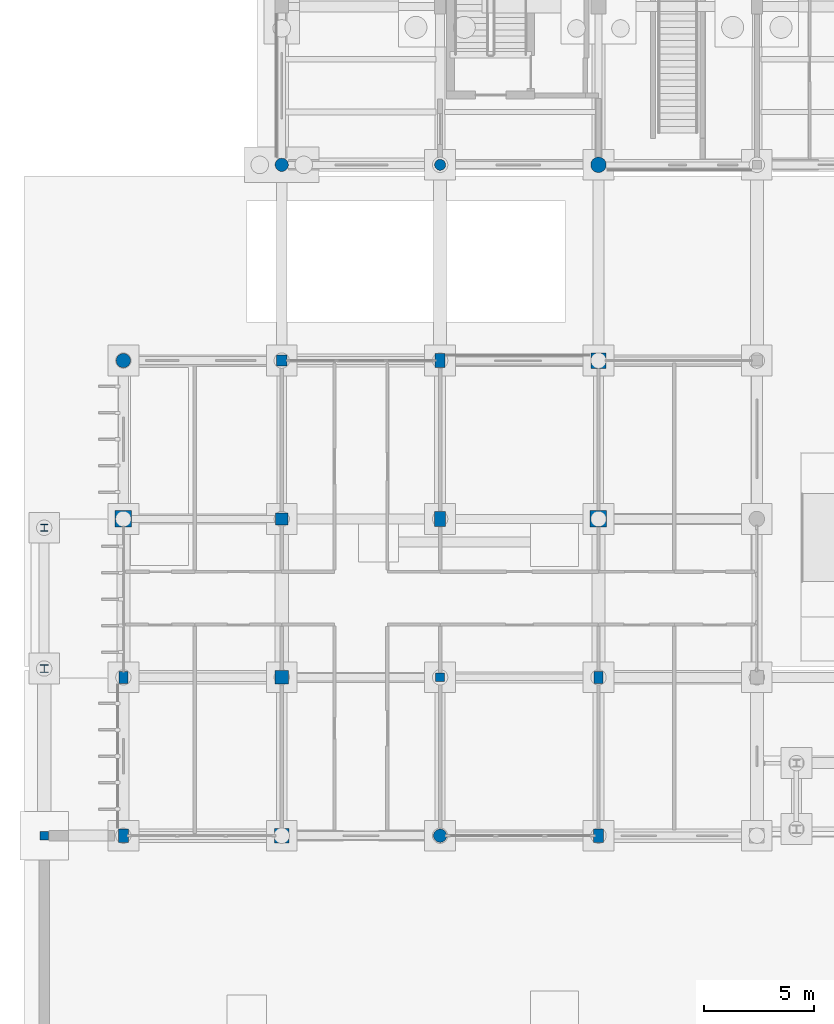
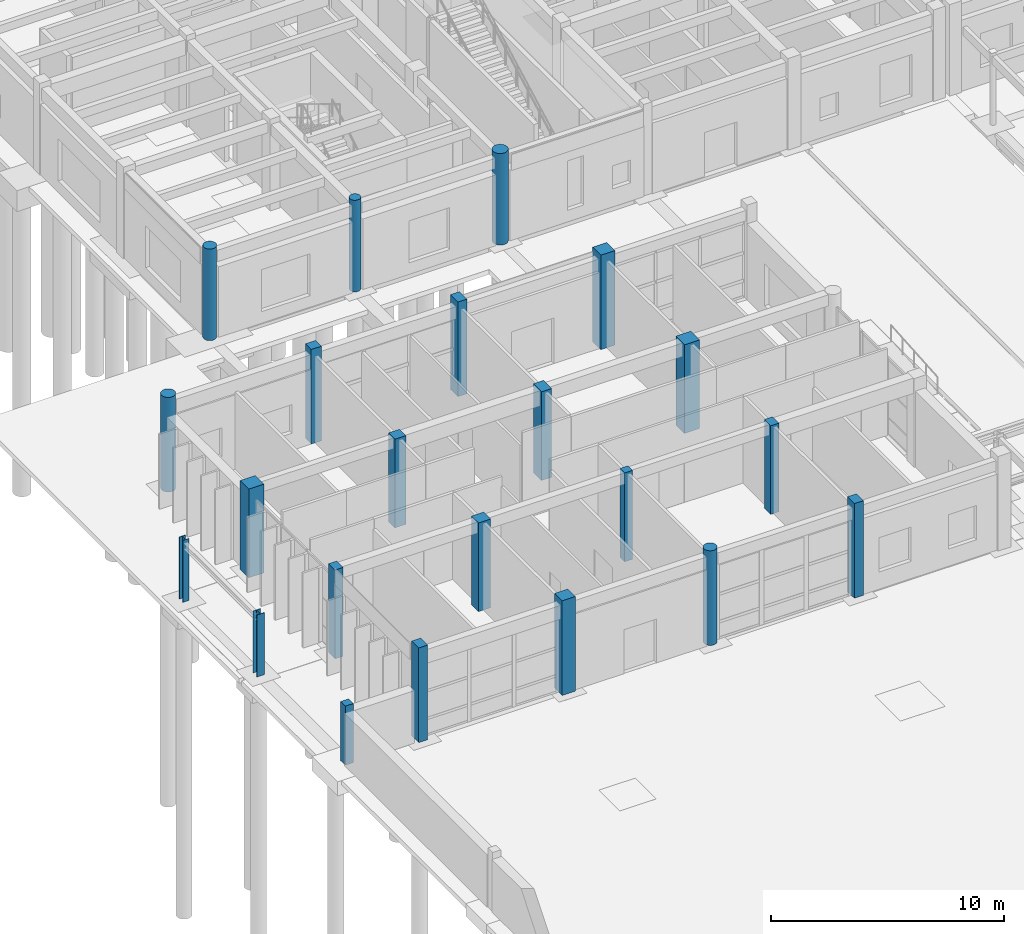
# One storey, part 16 of 143: 22 columns.
"""IFC4 building model written with IfcOpenShell, lengths in metres."""

from ifc_helpers import new_model, si_unit, direction, frame, origin, origin_2d, place, context, subcontext, project, spatial, rectangle, circle, i_section, extrude, material, material_profile, profile_set, type_object, element, save


model = new_model("IFC4")

# Units and contexts
model_context = context("Model", 3, precision=1e-05, world=origin(), true_north=direction((0.0, 1.0)))
body_context = subcontext(model_context, "Body", "Model", "MODEL_VIEW")
ifc_project = project(units=[si_unit("LENGTHUNIT", "METRE"), si_unit("AREAUNIT", "SQUARE_METRE"), si_unit("VOLUMEUNIT", "CUBIC_METRE"), si_unit("PLANEANGLEUNIT", "RADIAN"), si_unit("MASSUNIT", "GRAM", prefix="KILO")], contexts=[model_context])

# Site, building, storey
site_placement = place(None, origin())
site = spatial("IfcSite", under=ifc_project, at=site_placement, CompositionType="ELEMENT")
building_placement = place(site_placement, origin())
building = spatial("IfcBuilding", under=site, at=building_placement, Name="Steenspoor Specialist Clinic", CompositionType="ELEMENT")
storey_placement = place(building_placement, origin())
storey = spatial("IfcBuildingStorey", under=building, at=storey_placement, Name="L00", CompositionType="ELEMENT", Elevation=0.0)

# Columns
ifc_material_1 = material(Name="Concrete C40/50", Category="concrete")
ifc_material_profile_1 = material_profile(ifc_material_1, rectangle(XDim=0.39990234375, YDim=0.39990234375, at=origin_2d()), Name="RC-COL-400X400")
ifc_profile_set_1 = profile_set([ifc_material_profile_1], Name="Concrete C40/50")
column_type_1 = type_object("IfcColumnType", Name="COL-RC-400", PredefinedType="COLUMN", material=ifc_profile_set_1)
column_1_placement = place(storey_placement, frame((22.800048828125, 41.85009765625, 0.0), z_axis=(0.0, 0.0, 1.0), x_axis=(1.0, 0.0, 0.0)))
element("IfcColumn", 1, at=column_1_placement, inside=storey, type_object=column_type_1, Name="Column COL-L00-0169", PredefinedType="COLUMN", context=body_context, shape_type="SweptSolid", body=[
    extrude(rectangle(XDim=0.39990234375, YDim=0.39990234375, at=origin_2d()), origin(), (0.0, 0.0, 1.0), 4.64990234375),
])
column_2_placement = place(storey_placement, frame((4.800048828125, 34.64990234375, 0.0), z_axis=(0.0, 0.0, 1.0), x_axis=(1.0, 0.0, 0.0)))
element("IfcColumn", 2, at=column_2_placement, inside=storey, type_object=column_type_1, Name="Campus Screen Wall Pier 01", PredefinedType="COLUMN", context=body_context, shape_type="SweptSolid", body=[
    extrude(rectangle(XDim=0.39990234375, YDim=0.39990234375, at=origin_2d()), origin(), (0.0, 0.0, 1.0), 3.10009765625),
])
ifc_material_profile_2 = material_profile(ifc_material_1, rectangle(XDim=0.39990234375, YDim=0.550048828125, at=origin_2d()), Name="RC-COL-400X550")
ifc_profile_set_2 = profile_set([ifc_material_profile_2], Name="Concrete C40/50")
column_type_2 = type_object("IfcColumnType", Name="COL-RC-400X550", PredefinedType="COLUMN", material=ifc_profile_set_2)
for number, where, z_axis, x_axis, name in (
    (3, (8.39990234375, 41.85009765625, 0.0), (0.0, 0.0, 1.0), (1.0, 0.0, 0.0), "Column COL-L00-0161"),
    (4, (30.0, 41.85009765625, 0.0), (0.0, 0.0, 1.0), (1.0, 0.0, 0.0), "Column COL-L00-0173"),
):
    element("IfcColumn", number, at=place(storey_placement, frame(where, z_axis=z_axis, x_axis=x_axis)), inside=storey, type_object=column_type_2, Name=name, PredefinedType="COLUMN", context=body_context, shape_type="SweptSolid", body=[
        extrude(rectangle(XDim=0.39990234375, YDim=0.550048828125, at=origin_2d()), origin(), (0.0, 0.0, 1.0), 4.64990234375),
    ])
ifc_material_profile_3 = material_profile(ifc_material_1, rectangle(XDim=0.449951171875, YDim=0.60009765625, at=origin_2d()), Name="RC-COL-450X600")
ifc_profile_set_3 = profile_set([ifc_material_profile_3], Name="Concrete C40/50")
column_type_3 = type_object("IfcColumnType", Name="COL-RC-450X600", PredefinedType="COLUMN", material=ifc_profile_set_3)
for number, where, z_axis, x_axis, name in (
    (5, (8.39990234375, 34.64990234375, 0.0), (0.0, 0.0, 1.0), (1.0, 0.0, 0.0), "Column COL-L00-0160"),
    (6, (30.0, 34.64990234375, 0.0), (0.0, 0.0, 1.0), (1.0, 0.0, 0.0), "Column COL-L00-0172"),
):
    element("IfcColumn", number, at=place(storey_placement, frame(where, z_axis=z_axis, x_axis=x_axis)), inside=storey, type_object=column_type_3, Name=name, PredefinedType="COLUMN", context=body_context, shape_type="SweptSolid", body=[
        extrude(rectangle(XDim=0.449951171875, YDim=0.60009765625, at=origin_2d()), origin(), (0.0, 0.0, 1.0), 4.9599609375),
    ])
ifc_material_profile_4 = material_profile(ifc_material_1, rectangle(XDim=0.449951171875, YDim=0.64990234375, at=origin_2d()), Name="RC-COL-450X650")
ifc_profile_set_4 = profile_set([ifc_material_profile_4], Name="Concrete C40/50")
column_type_4 = type_object("IfcColumnType", Name="COL-RC-450X650", PredefinedType="COLUMN", material=ifc_profile_set_4)
column_3_placement = place(storey_placement, frame((22.800048828125, 56.25, 0.0), z_axis=(0.0, 0.0, 1.0), x_axis=(1.0, 0.0, 0.0)))
element("IfcColumn", 7, at=column_3_placement, inside=storey, type_object=column_type_4, Name="Column COL-L00-0171", PredefinedType="COLUMN", context=body_context, shape_type="SweptSolid", body=[
    extrude(rectangle(XDim=0.449951171875, YDim=0.64990234375, at=origin_2d()), origin(), (0.0, 0.0, 1.0), 4.9599609375),
])
ifc_material_profile_5 = material_profile(ifc_material_1, rectangle(XDim=0.5, YDim=0.5, at=origin_2d()), Name="RC-COL-500X500")
ifc_profile_set_5 = profile_set([ifc_material_profile_5], Name="Concrete C40/50")
column_type_5 = type_object("IfcColumnType", Name="COL-RC-500", PredefinedType="COLUMN", material=ifc_profile_set_5)
column_4_placement = place(storey_placement, frame((15.60009765625, 56.25, 0.0), z_axis=(0.0, 0.0, 1.0), x_axis=(1.0, 0.0, 0.0)))
element("IfcColumn", 8, at=column_4_placement, inside=storey, type_object=column_type_5, Name="Column COL-L00-0167", PredefinedType="COLUMN", context=body_context, shape_type="SweptSolid", body=[
    extrude(rectangle(XDim=0.5, YDim=0.5, at=origin_2d()), origin(), (0.0, 0.0, 1.0), 4.9599609375),
])
ifc_material_profile_6 = material_profile(ifc_material_1, rectangle(XDim=0.5, YDim=0.699951171875, at=origin_2d()), Name="RC-COL-500X700")
ifc_profile_set_6 = profile_set([ifc_material_profile_6], Name="Concrete C40/50")
column_type_6 = type_object("IfcColumnType", Name="COL-RC-500X700", PredefinedType="COLUMN", material=ifc_profile_set_6)
column_5_placement = place(storey_placement, frame((22.800048828125, 49.050048828125, 0.0), z_axis=(0.0, 0.0, 1.0), x_axis=(1.0, 0.0, 0.0)))
element("IfcColumn", 9, at=column_5_placement, inside=storey, type_object=column_type_6, Name="Column COL-L00-0170", PredefinedType="COLUMN", context=body_context, shape_type="SweptSolid", body=[
    extrude(rectangle(XDim=0.5, YDim=0.699951171875, at=origin_2d()), origin(), (0.0, 0.0, 1.0), 4.64990234375),
])
ifc_material_profile_7 = material_profile(ifc_material_1, rectangle(XDim=0.550048828125, YDim=0.550048828125, at=origin_2d()), Name="RC-COL-550X550")
ifc_profile_set_7 = profile_set([ifc_material_profile_7], Name="Concrete C40/50")
column_type_7 = type_object("IfcColumnType", Name="COL-RC-550", PredefinedType="COLUMN", material=ifc_profile_set_7)
column_6_placement = place(storey_placement, frame((15.60009765625, 49.050048828125, 0.0), z_axis=(0.0, 0.0, 1.0), x_axis=(1.0, 0.0, 0.0)))
element("IfcColumn", 10, at=column_6_placement, inside=storey, type_object=column_type_7, Name="Column COL-L00-0166", PredefinedType="COLUMN", context=body_context, shape_type="SweptSolid", body=[
    extrude(rectangle(XDim=0.550048828125, YDim=0.550048828125, at=origin_2d()), origin(), (0.0, 0.0, 1.0), 4.64990234375),
])
ifc_material_profile_8 = material_profile(ifc_material_1, rectangle(XDim=0.60009765625, YDim=0.60009765625, at=origin_2d()), Name="RC-COL-600X600")
ifc_profile_set_8 = profile_set([ifc_material_profile_8], Name="Concrete C40/50")
column_type_8 = type_object("IfcColumnType", Name="COL-RC-600", PredefinedType="COLUMN", material=ifc_profile_set_8)
column_7_placement = place(storey_placement, frame((15.60009765625, 41.85009765625, 0.0), z_axis=(0.0, 0.0, 1.0), x_axis=(1.0, 0.0, 0.0)))
element("IfcColumn", 11, at=column_7_placement, inside=storey, type_object=column_type_8, Name="Column COL-L00-0165", PredefinedType="COLUMN", context=body_context, shape_type="SweptSolid", body=[
    extrude(rectangle(XDim=0.60009765625, YDim=0.60009765625, at=origin_2d()), origin(), (0.0, 0.0, 1.0), 4.64990234375),
])
ifc_material_profile_9 = material_profile(ifc_material_1, rectangle(XDim=0.64990234375, YDim=0.64990234375, at=origin_2d()), Name="RC-COL-650X650")
ifc_profile_set_9 = profile_set([ifc_material_profile_9], Name="Concrete C40/50")
column_type_9 = type_object("IfcColumnType", Name="COL-RC-650", PredefinedType="COLUMN", material=ifc_profile_set_9)
column_8_placement = place(storey_placement, frame((15.60009765625, 34.64990234375, 0.0), z_axis=(0.0, 0.0, 1.0), x_axis=(1.0, 0.0, 0.0)))
element("IfcColumn", 12, at=column_8_placement, inside=storey, type_object=column_type_9, Name="Column COL-L00-0164", PredefinedType="COLUMN", context=body_context, shape_type="SweptSolid", body=[
    extrude(rectangle(XDim=0.64990234375, YDim=0.64990234375, at=origin_2d()), origin(), (0.0, 0.0, 1.0), 4.9599609375),
])
ifc_material_profile_10 = material_profile(ifc_material_1, rectangle(XDim=0.699951171875, YDim=0.699951171875, at=origin_2d()), Name="RC-COL-700X700")
ifc_profile_set_10 = profile_set([ifc_material_profile_10], Name="Concrete C40/50")
column_type_10 = type_object("IfcColumnType", Name="COL-RC-700", PredefinedType="COLUMN", material=ifc_profile_set_10)
column_9_placement = place(storey_placement, frame((30.0, 56.25, 0.0), z_axis=(0.0, 0.0, 1.0), x_axis=(1.0, 0.0, 0.0)))
element("IfcColumn", 13, at=column_9_placement, inside=storey, type_object=column_type_10, Name="Column COL-L00-0175", PredefinedType="COLUMN", context=body_context, shape_type="SweptSolid", body=[
    extrude(rectangle(XDim=0.699951171875, YDim=0.699951171875, at=origin_2d()), origin(), (0.0, 0.0, 1.0), 4.9599609375),
])
ifc_material_profile_11 = material_profile(ifc_material_1, rectangle(XDim=0.75, YDim=0.75, at=origin_2d()), Name="RC-COL-750X750")
ifc_profile_set_11 = profile_set([ifc_material_profile_11], Name="Concrete C40/50")
column_type_11 = type_object("IfcColumnType", Name="COL-RC-750", PredefinedType="COLUMN", material=ifc_profile_set_11)
for number, where, z_axis, x_axis, name in (
    (14, (8.39990234375, 49.050048828125, 0.0), (0.0, 0.0, 1.0), (1.0, 0.0, 0.0), "Column COL-L00-0162"),
    (15, (30.0, 49.050048828125, 0.0), (0.0, 0.0, 1.0), (1.0, 0.0, 0.0), "Column COL-L00-0174"),
):
    element("IfcColumn", number, at=place(storey_placement, frame(where, z_axis=z_axis, x_axis=x_axis)), inside=storey, type_object=column_type_11, Name=name, PredefinedType="COLUMN", context=body_context, shape_type="SweptSolid", body=[
        extrude(rectangle(XDim=0.75, YDim=0.75, at=origin_2d()), origin(), (0.0, 0.0, 1.0), 4.64990234375),
    ])
ifc_material_profile_12 = material_profile(ifc_material_1, circle(Radius=0.25, at=origin_2d()), Name="RC-COL-D500")
ifc_profile_set_12 = profile_set([ifc_material_profile_12], Name="Concrete C40/50")
column_type_12 = type_object("IfcColumnType", Name="COL-RC-D500", PredefinedType="COLUMN", material=ifc_profile_set_12)
column_10_placement = place(storey_placement, frame((22.800048828125, 65.14990234375, 0.0), z_axis=(0.0, 0.0, 1.0), x_axis=(1.0, 0.0, 0.0)))
element("IfcColumn", 16, at=column_10_placement, inside=storey, type_object=column_type_12, Name="Column COL-L00-0516", PredefinedType="COLUMN", context=body_context, shape_type="SweptSolid", body=[
    extrude(circle(Radius=0.25, at=origin_2d()), origin(), (0.0, 0.0, 1.0), 4.800048828125),
])
ifc_material_profile_13 = material_profile(ifc_material_1, circle(Radius=0.300048828125, at=origin_2d()), Name="RC-COL-D600")
ifc_profile_set_13 = profile_set([ifc_material_profile_13], Name="Concrete C40/50")
column_type_13 = type_object("IfcColumnType", Name="COL-RC-D600", PredefinedType="COLUMN", material=ifc_profile_set_13)
column_11_placement = place(storey_placement, frame((22.800048828125, 34.64990234375, 0.0), z_axis=(0.0, 0.0, 1.0), x_axis=(1.0, 0.0, 0.0)))
element("IfcColumn", 17, at=column_11_placement, inside=storey, type_object=column_type_13, Name="Column COL-L00-0168", PredefinedType="COLUMN", context=body_context, shape_type="SweptSolid", body=[
    extrude(circle(Radius=0.300048828125, at=origin_2d()), origin(), (0.0, 0.0, 1.0), 4.9599609375),
])
column_12_placement = place(storey_placement, frame((15.60009765625, 65.14990234375, 0.0), z_axis=(0.0, 0.0, 1.0), x_axis=(1.0, 0.0, 0.0)))
element("IfcColumn", 18, at=column_12_placement, inside=storey, type_object=column_type_13, Name="Column COL-L00-0506", PredefinedType="COLUMN", context=body_context, shape_type="SweptSolid", body=[
    extrude(circle(Radius=0.300048828125, at=origin_2d()), origin(), (0.0, 0.0, 1.0), 4.800048828125),
])
ifc_material_profile_14 = material_profile(ifc_material_1, circle(Radius=0.324951171875, at=origin_2d()), Name="RC-COL-D650")
ifc_profile_set_14 = profile_set([ifc_material_profile_14], Name="Concrete C40/50")
column_type_14 = type_object("IfcColumnType", Name="COL-RC-D650", PredefinedType="COLUMN", material=ifc_profile_set_14)
column_13_placement = place(storey_placement, frame((8.39990234375, 56.25, 0.0), z_axis=(0.0, 0.0, 1.0), x_axis=(1.0, 0.0, 0.0)))
element("IfcColumn", 19, at=column_13_placement, inside=storey, type_object=column_type_14, Name="Column COL-L00-0163", PredefinedType="COLUMN", context=body_context, shape_type="SweptSolid", body=[
    extrude(circle(Radius=0.324951171875, at=origin_2d()), origin(), (0.0, 0.0, 1.0), 4.9599609375),
])
ifc_material_profile_15 = material_profile(ifc_material_1, circle(Radius=0.35009765625, at=origin_2d()), Name="RC-COL-D700")
ifc_profile_set_15 = profile_set([ifc_material_profile_15], Name="Concrete C40/50")
column_type_15 = type_object("IfcColumnType", Name="COL-RC-D700", PredefinedType="COLUMN", material=ifc_profile_set_15)
column_14_placement = place(storey_placement, frame((30.0, 65.14990234375, 0.0), z_axis=(0.0, 0.0, 1.0), x_axis=(1.0, 0.0, 0.0)))
element("IfcColumn", 20, at=column_14_placement, inside=storey, type_object=column_type_15, Name="Column COL-L00-0535", PredefinedType="COLUMN", context=body_context, shape_type="SweptSolid", body=[
    extrude(circle(Radius=0.35009765625, at=origin_2d()), origin(), (0.0, 0.0, 1.0), 4.800048828125),
])
ifc_material_2 = material(Name="Steel A992 Grade 50", Category="steel")
ifc_material_profile_16 = material_profile(ifc_material_2, i_section(OverallWidth=0.306884765625, OverallDepth=0.31396484375, WebThickness=0.010986328125, FlangeThickness=0.018798828125, at=origin_2d()), Name="W310X117")
ifc_profile_set_16 = profile_set([ifc_material_profile_16], Name="Steel A992 Grade 50")
column_type_16 = type_object("IfcColumnType", Name="COL-ST-W310X117", PredefinedType="COLUMN", material=ifc_profile_set_16)
column_15_placement = place(storey_placement, frame((4.800048828125, 48.64990234375, 0.0), z_axis=(0.0, 0.0, 1.0), x_axis=(1.0, 0.0, 0.0)))
element("IfcColumn", 21, at=column_15_placement, inside=storey, type_object=column_type_16, Name="Porch Column COL-L00-0837", PredefinedType="COLUMN", context=body_context, shape_type="SweptSolid", body=[
    extrude(i_section(OverallWidth=0.306884765625, OverallDepth=0.31396484375, WebThickness=0.010986328125, FlangeThickness=0.018798828125, at=origin_2d()), origin(), (0.0, 0.0, 1.0), 3.25),
])
ifc_material_profile_17 = material_profile(ifc_material_2, i_section(OverallWidth=0.368896484375, OverallDepth=0.35595703125, WebThickness=0.01123046875, FlangeThickness=0.01806640625, at=origin_2d()), Name="W360X134")
ifc_profile_set_17 = profile_set([ifc_material_profile_17], Name="Steel A992 Grade 50")
column_type_17 = type_object("IfcColumnType", Name="COL-ST-W360X134", PredefinedType="COLUMN", material=ifc_profile_set_17)
column_16_placement = place(storey_placement, frame((4.800048828125, 42.25, 0.0), z_axis=(0.0, 0.0, 1.0), x_axis=(1.0, 0.0, 0.0)))
element("IfcColumn", 22, at=column_16_placement, inside=storey, type_object=column_type_17, Name="Porch Column COL-L00-0836", PredefinedType="COLUMN", context=body_context, shape_type="SweptSolid", body=[
    extrude(i_section(OverallWidth=0.368896484375, OverallDepth=0.35595703125, WebThickness=0.01123046875, FlangeThickness=0.01806640625, at=origin_2d()), origin(), (0.0, 0.0, 1.0), 3.25),
])

save(model, "model.ifc")
